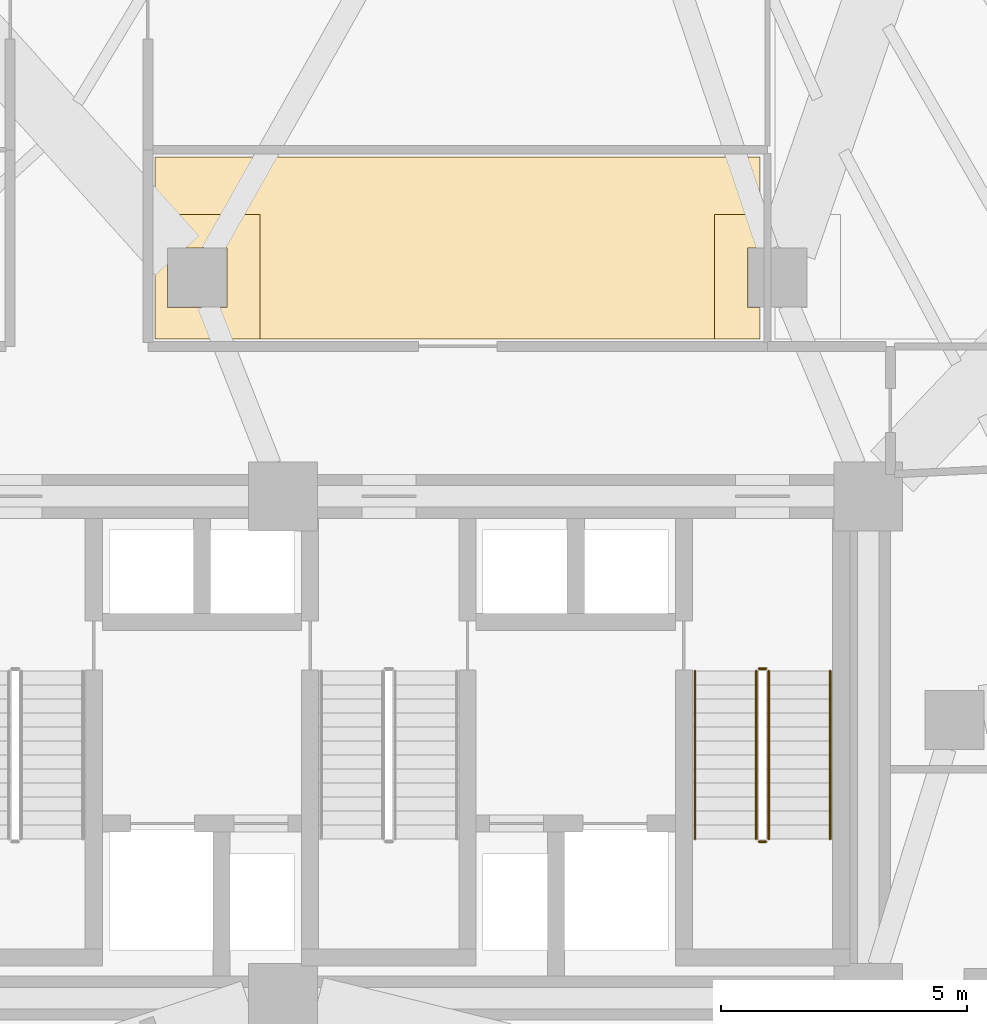
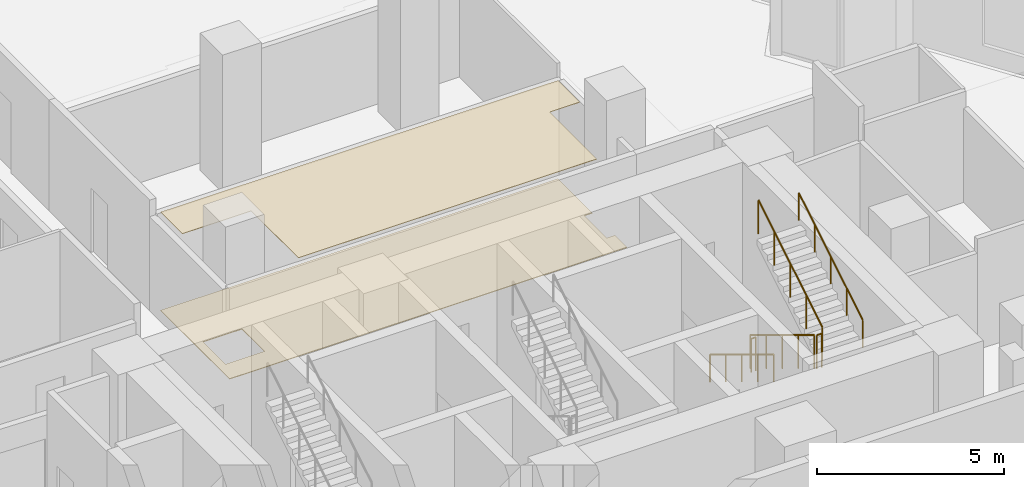
# One storey, part 14 of 15: 6 railings, 2 coverings.
"""IFC4 building model written with IfcOpenShell, lengths in metres."""

from ifc_helpers import new_model, si_unit, direction, frame, origin, origin_2d, place, context, subcontext, project, spatial, polyline, circle, outline, extrude, material, layer, layer_set, type_object, element, save


model = new_model("IFC4")

# Units and contexts
model_context = context("Model", 3, precision=1e-05, world=origin(), true_north=direction((0.0, 1.0)))
body_context = subcontext(model_context, "Body", "Model", "MODEL_VIEW")
ifc_project = project(units=[si_unit("LENGTHUNIT", "METRE"), si_unit("AREAUNIT", "SQUARE_METRE"), si_unit("VOLUMEUNIT", "CUBIC_METRE"), si_unit("PLANEANGLEUNIT", "RADIAN"), si_unit("MASSUNIT", "GRAM", prefix="KILO")], contexts=[model_context])

# Site, building, storey
site_placement = place(None, origin())
site = spatial("IfcSite", under=ifc_project, at=site_placement, CompositionType="ELEMENT")
building_placement = place(site_placement, origin())
building = spatial("IfcBuilding", under=site, at=building_placement, Name="Almagre Mirador Tower", CompositionType="ELEMENT")
storey_placement = place(building_placement, frame((0.0, 0.0, 8.39990234375)))
storey = spatial("IfcBuildingStorey", under=building, at=storey_placement, Name="L01", CompositionType="ELEMENT", Elevation=8.39990234375)

# Coverings
ifc_material_1 = material(Name="Perforated acoustic gypsum ceiling", Category="other")
ifc_layer_1 = layer(ifc_material_1, 0.01806640625)
ifc_layer_set_1 = layer_set([ifc_layer_1], Name="Perforated acoustic gypsum ceiling")
covering_type_1 = type_object("IfcCoveringType", Name="COV-CEIL-GYP-18", PredefinedType="CEILING", material=ifc_layer_set_1)
covering_1_placement = place(storey_placement, frame((0.0, 0.0, 3.22021484375)))
element("IfcCovering", 1, at=covering_1_placement, inside=storey, type_object=covering_type_1, Name="L01 Modernist Sculpture Gallery West acoustic suspended ceiling", PredefinedType="CEILING", context=body_context, shape_type="SweptSolid", body=[
    extrude(outline(polyline([(44.85009765625, 21.64990234375), (44.85009765625, 20.47998046875), (43.919921875, 20.47998046875), (43.919921875, 17.949951171875), (34.679931640625, 17.949951171875), (34.679931640625, 20.47998046875), (32.550048828125, 20.47998046875), (32.550048828125, 21.64990234375), (44.85009765625, 21.64990234375)])), origin(), (0.0, 0.0, 1.0), 0.017822265625),
])
ifc_material_2 = material(Name="Honed basalt terrazzo flooring", Category="masonry")
ifc_layer_2 = layer(ifc_material_2, 0.02197265625)
ifc_layer_set_2 = layer_set([ifc_layer_2], Name="Honed basalt terrazzo flooring")
covering_type_2 = type_object("IfcCoveringType", Name="COV-FLR-TER-22", PredefinedType="FLOORING", material=ifc_layer_set_2)
covering_2_placement = place(storey_placement, origin())
element("IfcCovering", 2, at=covering_2_placement, inside=storey, type_object=covering_type_2, Name="L01 Modernist Sculpture Gallery West finish flooring", PredefinedType="FLOORING", context=body_context, shape_type="SweptSolid", body=[
    extrude(outline(polyline([(32.550048828125, 21.64990234375), (44.85009765625, 21.64990234375), (44.85009765625, 19.804931640625), (44.594970703125, 19.804931640625), (44.594970703125, 18.594970703125), (44.85009765625, 18.594970703125), (44.85009765625, 17.949951171875), (32.550048828125, 17.949951171875), (32.550048828125, 21.64990234375)]), holes=[polyline([(32.794921875, 18.594970703125), (32.794921875, 19.804931640625), (34.0048828125, 19.804931640625), (34.0048828125, 18.594970703125), (32.794921875, 18.594970703125)])]), origin(), (0.0, 0.0, 1.0), 0.022216796875),
])

# Railings
ifc_material_3 = material(Name="Painted galvanized steel", Category="steel")
railing_type_1 = type_object("IfcRailingType", Name="RLG-GRD-1100", PredefinedType="GUARDRAIL", material=ifc_material_3)
railing_1_placement = place(storey_placement, frame((44.77490234375, 11.199951171875, 0.173095703125)))
element("IfcRailing", 3, at=railing_1_placement, inside=storey, type_object=railing_type_1, Name="L01 ST-3 stair guard 1", PredefinedType="GUARDRAIL", context=body_context, shape_type="SweptSolid", body=[
    extrude(circle(Radius=0.02392578125, at=origin_2d()), frame((0.0, 0.0, 1.09619140625), z_axis=(0.0, -0.854729506542, 0.519073665916), x_axis=(1.0, 0.0, 0.0)), (0.0, 0.0, 1.0), 4.001220703125),
    extrude(circle(Radius=0.02099609375, at=origin_2d()), origin(), (0.0, 0.0, 1.0), 1.072021484375),
    extrude(circle(Radius=0.02099609375, at=origin_2d()), frame((0.0, -0.85498046875, 0.519287109375)), (0.0, 0.0, 1.0), 1.072021484375),
    extrude(circle(Radius=0.02099609375, at=origin_2d()), frame((0.0, -1.7099609375, 1.03857421875)), (0.0, 0.0, 1.0), 1.072021484375),
    extrude(circle(Radius=0.02099609375, at=origin_2d()), frame((0.0, -2.56494140625, 1.5576171875)), (0.0, 0.0, 1.0), 1.072021484375),
    extrude(circle(Radius=0.02099609375, at=origin_2d()), frame((0.0, -3.419921875, 2.076904296875)), (0.0, 0.0, 1.0), 1.072021484375),
])
railing_2_placement = place(storey_placement, frame((44.824951171875, 7.72998046875, 2.25)))
element("IfcRailing", 4, at=railing_2_placement, inside=storey, type_object=railing_type_1, Name="L01 ST-3 stair guard 2", PredefinedType="GUARDRAIL", context=body_context, shape_type="SweptSolid", body=[
    extrude(circle(Radius=0.02392578125, at=origin_2d()), frame((0.0, 0.0, 1.09619140625), z_axis=(1.0, 0.0, 0.0), x_axis=(0.0, 1.0, 0.0)), (0.0, 0.0, 1.0), 0.150146484375),
    extrude(circle(Radius=0.02099609375, at=origin_2d()), origin(), (0.0, 0.0, 1.0), 1.072021484375),
    extrude(circle(Radius=0.02099609375, at=origin_2d()), frame((0.150146484375, 0.0, 0.0)), (0.0, 0.0, 1.0), 1.072021484375),
])
railing_3_placement = place(storey_placement, frame((45.02490234375, 7.780029296875, 2.423095703125)))
element("IfcRailing", 5, at=railing_3_placement, inside=storey, type_object=railing_type_1, Name="L01 ST-3 stair guard 3", PredefinedType="GUARDRAIL", context=body_context, shape_type="SweptSolid", body=[
    extrude(circle(Radius=0.02392578125, at=origin_2d()), frame((0.0, 0.0, 1.09619140625), z_axis=(0.0, 0.854729506542, 0.519073665916), x_axis=(-1.0, 0.0, 0.0)), (0.0, 0.0, 1.0), 4.001220703125),
    extrude(circle(Radius=0.02099609375, at=origin_2d()), origin(), (0.0, 0.0, 1.0), 1.072021484375),
    extrude(circle(Radius=0.02099609375, at=origin_2d()), frame((0.0, 0.85498046875, 0.519287109375)), (0.0, 0.0, 1.0), 1.072021484375),
    extrude(circle(Radius=0.02099609375, at=origin_2d()), frame((0.0, 1.7099609375, 1.03857421875)), (0.0, 0.0, 1.0), 1.072021484375),
    extrude(circle(Radius=0.02099609375, at=origin_2d()), frame((0.0, 2.56494140625, 1.5576171875)), (0.0, 0.0, 1.0), 1.072021484375),
    extrude(circle(Radius=0.02099609375, at=origin_2d()), frame((0.0, 3.419921875, 2.076904296875)), (0.0, 0.0, 1.0), 1.072021484375),
])
railing_4_placement = place(storey_placement, frame((44.824951171875, 11.25, 0.0)))
element("IfcRailing", 6, at=railing_4_placement, inside=storey, type_object=railing_type_1, Name="L01 ST-3 stair guard 4", PredefinedType="GUARDRAIL", context=body_context, shape_type="SweptSolid", body=[
    extrude(circle(Radius=0.02392578125, at=origin_2d()), frame((0.0, 0.0, 1.09619140625), z_axis=(1.0, 0.0, 0.0), x_axis=(0.0, 1.0, 0.0)), (0.0, 0.0, 1.0), 0.150146484375),
    extrude(circle(Radius=0.02099609375, at=origin_2d()), origin(), (0.0, 0.0, 1.0), 1.072021484375),
    extrude(circle(Radius=0.02099609375, at=origin_2d()), frame((0.150146484375, 0.0, 0.0)), (0.0, 0.0, 1.0), 1.072021484375),
])
ifc_material_4 = material(Name="Brushed stainless steel", Category="steel")
railing_type_2 = type_object("IfcRailingType", Name="RLG-HND-915", PredefinedType="HANDRAIL", material=ifc_material_4)
railing_5_placement = place(storey_placement, frame((43.52490234375, 11.199951171875, 0.173095703125)))
element("IfcRailing", 7, at=railing_5_placement, inside=storey, type_object=railing_type_2, Name="L01 ST-3 stair handrail 1", PredefinedType="HANDRAIL", context=body_context, shape_type="SweptSolid", body=[
    extrude(circle(Radius=0.02392578125, at=origin_2d()), frame((0.0, 0.0, 0.89111328125), z_axis=(0.0, -0.854729506542, 0.519073665916), x_axis=(1.0, 0.0, 0.0)), (0.0, 0.0, 1.0), 4.001220703125),
    extrude(circle(Radius=0.02099609375, at=origin_2d()), origin(), (0.0, 0.0, 1.0), 0.866943359375),
    extrude(circle(Radius=0.02099609375, at=origin_2d()), frame((0.0, -0.85498046875, 0.519287109375)), (0.0, 0.0, 1.0), 0.866943359375),
    extrude(circle(Radius=0.02099609375, at=origin_2d()), frame((0.0, -1.7099609375, 1.03857421875)), (0.0, 0.0, 1.0), 0.866943359375),
    extrude(circle(Radius=0.02099609375, at=origin_2d()), frame((0.0, -2.56494140625, 1.5576171875)), (0.0, 0.0, 1.0), 0.866943359375),
    extrude(circle(Radius=0.02099609375, at=origin_2d()), frame((0.0, -3.419921875, 2.076904296875)), (0.0, 0.0, 1.0), 0.866943359375),
])
railing_6_placement = place(storey_placement, frame((46.27490234375, 7.780029296875, 2.423095703125)))
element("IfcRailing", 8, at=railing_6_placement, inside=storey, type_object=railing_type_2, Name="L01 ST-3 stair handrail 2", PredefinedType="HANDRAIL", context=body_context, shape_type="SweptSolid", body=[
    extrude(circle(Radius=0.02392578125, at=origin_2d()), frame((0.0, 0.0, 0.89111328125), z_axis=(0.0, 0.854729506542, 0.519073665916), x_axis=(-1.0, 0.0, 0.0)), (0.0, 0.0, 1.0), 4.001220703125),
    extrude(circle(Radius=0.02099609375, at=origin_2d()), origin(), (0.0, 0.0, 1.0), 0.866943359375),
    extrude(circle(Radius=0.02099609375, at=origin_2d()), frame((0.0, 0.85498046875, 0.519287109375)), (0.0, 0.0, 1.0), 0.866943359375),
    extrude(circle(Radius=0.02099609375, at=origin_2d()), frame((0.0, 1.7099609375, 1.03857421875)), (0.0, 0.0, 1.0), 0.866943359375),
    extrude(circle(Radius=0.02099609375, at=origin_2d()), frame((0.0, 2.56494140625, 1.5576171875)), (0.0, 0.0, 1.0), 0.866943359375),
    extrude(circle(Radius=0.02099609375, at=origin_2d()), frame((0.0, 3.419921875, 2.076904296875)), (0.0, 0.0, 1.0), 0.866943359375),
])

save(model, "model.ifc")
